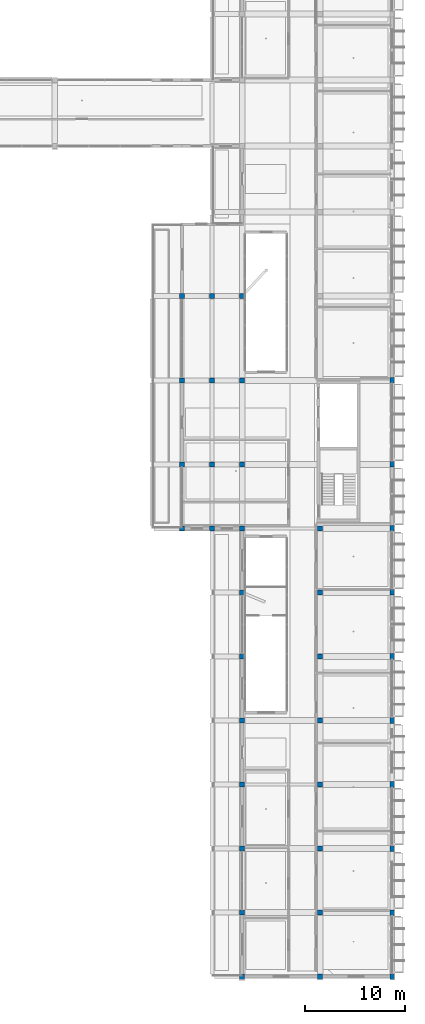
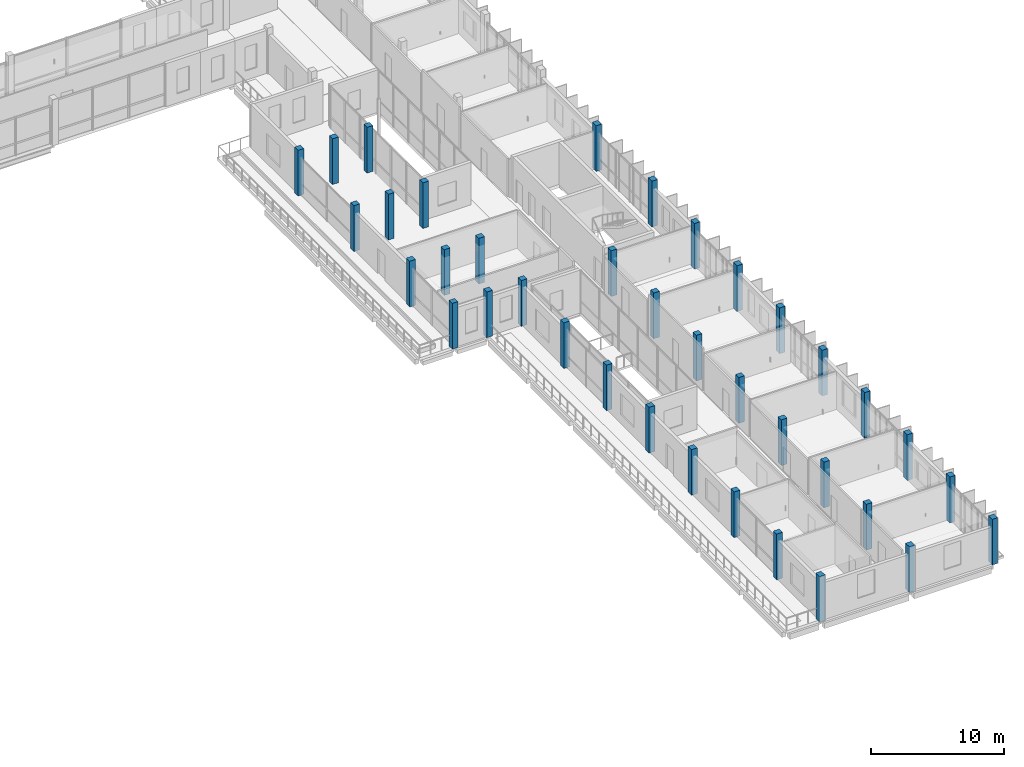
# One storey, part 4 of 85: 37 columns.
"""IFC4 building model written with IfcOpenShell, lengths in metres."""

from ifc_helpers import new_model, si_unit, derived_unit, direction, frame, origin, origin_2d, place, context, subcontext, project, spatial, rectangle, extrude, material, material_profile, profile_set, type_object, element, save


model = new_model("IFC4")

# Units and contexts
model_context = context("Model", 3, precision=1e-05, world=origin(), true_north=direction((0.0, 1.0)))
body_context = subcontext(model_context, "Body", "Model", "MODEL_VIEW")
ifc_project = project(units=[si_unit("LENGTHUNIT", "METRE"), si_unit("AREAUNIT", "SQUARE_METRE"), si_unit("VOLUMEUNIT", "CUBIC_METRE"), si_unit("PLANEANGLEUNIT", "RADIAN"), si_unit("MASSUNIT", "GRAM", prefix="KILO"), derived_unit("THERMALTRANSMITTANCEUNIT", [(si_unit("POWERUNIT", "WATT"), 1), (si_unit("LENGTHUNIT", "METRE"), -2), (si_unit("THERMODYNAMICTEMPERATUREUNIT", "KELVIN"), -1)])], contexts=[model_context])

# Site, building, storey
site_placement = place(None, origin())
site = spatial("IfcSite", under=ifc_project, at=site_placement, CompositionType="ELEMENT")
building_placement = place(site_placement, origin())
building = spatial("IfcBuilding", under=site, at=building_placement, Name="Braskholm Square Health Centre", CompositionType="ELEMENT")
storey_placement = place(building_placement, frame((0.0, 0.0, 9.300048828125)))
storey = spatial("IfcBuildingStorey", under=building, at=storey_placement, Name="L03", CompositionType="ELEMENT", Elevation=9.300048828125)

# Columns
ifc_material_1 = material(Name="Concrete C40/50 (f'c = 40 MPa)", Category="concrete")
ifc_material_profile_1 = material_profile(ifc_material_1, rectangle(XDim=0.5, YDim=0.5, at=origin_2d()), Name="RC-500X500")
ifc_profile_set_1 = profile_set([ifc_material_profile_1], Name="Concrete C40/50 (f'c = 40 MPa)")
column_type_1 = type_object("IfcColumnType", Name="ColInteriorUpper500", PredefinedType="COLUMN", material=ifc_profile_set_1)
for number, where, z_axis, x_axis, name in (
    (1, (142.800048828125, 49.0, 0.0), (0.0, 0.0, 1.0), (1.0, 0.0, 0.0), "Column 18/H L03"),
    (2, (142.800048828125, 55.39990234375, 0.0), (0.0, 0.0, 1.0), (1.0, 0.0, 0.0), "Column 18/J L03"),
    (3, (142.800048828125, 63.800048828125, 0.0), (0.0, 0.0, 1.0), (1.0, 0.0, 0.0), "Column 18/K L03"),
    (4, (142.800048828125, 72.199951171875, 0.0), (0.0, 0.0, 1.0), (1.0, 0.0, 0.0), "Column 18/L L03"),
    (5, (145.800048828125, 49.0, 0.0), (0.0, 0.0, 1.0), (1.0, 0.0, 0.0), "Column 19/H L03"),
    (6, (145.800048828125, 55.39990234375, 0.0), (0.0, 0.0, 1.0), (1.0, 0.0, 0.0), "Column 19/J L03"),
    (7, (145.800048828125, 63.800048828125, 0.0), (0.0, 0.0, 1.0), (1.0, 0.0, 0.0), "Column 19/K L03"),
    (8, (145.800048828125, 72.199951171875, 0.0), (0.0, 0.0, 1.0), (1.0, 0.0, 0.0), "Column 19/L L03"),
    (9, (148.800048828125, 10.60009765625, 0.0), (0.0, 0.0, 1.0), (1.0, 0.0, 0.0), "Column 20/B L03"),
    (10, (148.800048828125, 17.0, 0.0), (0.0, 0.0, 1.0), (1.0, 0.0, 0.0), "Column 20/C L03"),
    (11, (148.800048828125, 23.39990234375, 0.0), (0.0, 0.0, 1.0), (1.0, 0.0, 0.0), "Column 20/D L03"),
    (12, (148.800048828125, 29.800048828125, 0.0), (0.0, 0.0, 1.0), (1.0, 0.0, 0.0), "Column 20/E L03"),
    (13, (148.800048828125, 36.199951171875, 0.0), (0.0, 0.0, 1.0), (1.0, 0.0, 0.0), "Column 20/F L03"),
    (14, (148.800048828125, 42.60009765625, 0.0), (0.0, 0.0, 1.0), (1.0, 0.0, 0.0), "Column 20/G L03"),
    (15, (148.800048828125, 49.0, 0.0), (0.0, 0.0, 1.0), (1.0, 0.0, 0.0), "Column 20/H L03"),
    (16, (148.800048828125, 55.39990234375, 0.0), (0.0, 0.0, 1.0), (1.0, 0.0, 0.0), "Column 20/J L03"),
    (17, (148.800048828125, 63.800048828125, 0.0), (0.0, 0.0, 1.0), (1.0, 0.0, 0.0), "Column 20/K L03"),
    (18, (148.800048828125, 72.199951171875, 0.0), (0.0, 0.0, 1.0), (1.0, 0.0, 0.0), "Column 20/L L03"),
    (19, (156.60009765625, 10.60009765625, 0.0), (0.0, 0.0, 1.0), (1.0, 0.0, 0.0), "Column 21/B L03"),
    (20, (156.60009765625, 17.0, 0.0), (0.0, 0.0, 1.0), (1.0, 0.0, 0.0), "Column 21/C L03"),
    (21, (156.60009765625, 23.39990234375, 0.0), (0.0, 0.0, 1.0), (1.0, 0.0, 0.0), "Column 21/D L03"),
    (22, (156.60009765625, 29.800048828125, 0.0), (0.0, 0.0, 1.0), (1.0, 0.0, 0.0), "Column 21/E L03"),
    (23, (156.60009765625, 36.199951171875, 0.0), (0.0, 0.0, 1.0), (1.0, 0.0, 0.0), "Column 21/F L03"),
    (24, (156.60009765625, 42.60009765625, 0.0), (0.0, 0.0, 1.0), (1.0, 0.0, 0.0), "Column 21/G L03"),
    (25, (156.60009765625, 49.0, 0.0), (0.0, 0.0, 1.0), (1.0, 0.0, 0.0), "Column 21/H L03"),
):
    element("IfcColumn", number, at=place(storey_placement, frame(where, z_axis=z_axis, x_axis=x_axis)), inside=storey, type_object=column_type_1, Name=name, PredefinedType="COLUMN", context=body_context, shape_type="SweptSolid", body=[
        extrude(rectangle(XDim=0.5, YDim=0.5, at=origin_2d()), origin(), (0.0, 0.0, 1.0), 4.199951171875),
    ])
ifc_material_2 = material(Name="Precast concrete C40/50 architectural white", Category="concrete")
ifc_material_profile_2 = material_profile(ifc_material_2, rectangle(XDim=0.4599609375, YDim=0.56005859375, at=origin_2d()), Name="RC-460X560")
ifc_profile_set_2 = profile_set([ifc_material_profile_2], Name="Precast concrete C40/50 architectural white")
column_type_2 = type_object("IfcColumnType", Name="ColPrecastFrame460x560", PredefinedType="COLUMN", material=ifc_profile_set_2)
for number, where, z_axis, x_axis, name in (
    (26, (148.800048828125, 4.199951171875, 0.0), (0.0, 0.0, 1.0), (1.0, 0.0, 0.0), "Column 20/A L03"),
    (27, (156.60009765625, 4.199951171875, 0.0), (0.0, 0.0, 1.0), (1.0, 0.0, 0.0), "Column 21/A L03"),
    (28, (163.800048828125, 4.199951171875, 0.0), (0.0, 0.0, 1.0), (1.0, 0.0, 0.0), "Column 22/A L03"),
    (29, (163.800048828125, 10.60009765625, 0.0), (0.0, 0.0, 1.0), (1.0, 0.0, 0.0), "Column 22/B L03"),
    (30, (163.800048828125, 17.0, 0.0), (0.0, 0.0, 1.0), (1.0, 0.0, 0.0), "Column 22/C L03"),
    (31, (163.800048828125, 23.39990234375, 0.0), (0.0, 0.0, 1.0), (1.0, 0.0, 0.0), "Column 22/D L03"),
    (32, (163.800048828125, 29.800048828125, 0.0), (0.0, 0.0, 1.0), (1.0, 0.0, 0.0), "Column 22/E L03"),
    (33, (163.800048828125, 36.199951171875, 0.0), (0.0, 0.0, 1.0), (1.0, 0.0, 0.0), "Column 22/F L03"),
    (34, (163.800048828125, 42.60009765625, 0.0), (0.0, 0.0, 1.0), (1.0, 0.0, 0.0), "Column 22/G L03"),
    (35, (163.800048828125, 49.0, 0.0), (0.0, 0.0, 1.0), (1.0, 0.0, 0.0), "Column 22/H L03"),
    (36, (163.800048828125, 55.39990234375, 0.0), (0.0, 0.0, 1.0), (1.0, 0.0, 0.0), "Column 22/J L03"),
    (37, (163.800048828125, 63.800048828125, 0.0), (0.0, 0.0, 1.0), (1.0, 0.0, 0.0), "Column 22/K L03"),
):
    element("IfcColumn", number, at=place(storey_placement, frame(where, z_axis=z_axis, x_axis=x_axis)), inside=storey, type_object=column_type_2, Name=name, PredefinedType="COLUMN", context=body_context, shape_type="SweptSolid", body=[
        extrude(rectangle(XDim=0.4599609375, YDim=0.56005859375, at=origin_2d()), origin(), (0.0, 0.0, 1.0), 4.199951171875),
    ])

save(model, "model.ifc")
